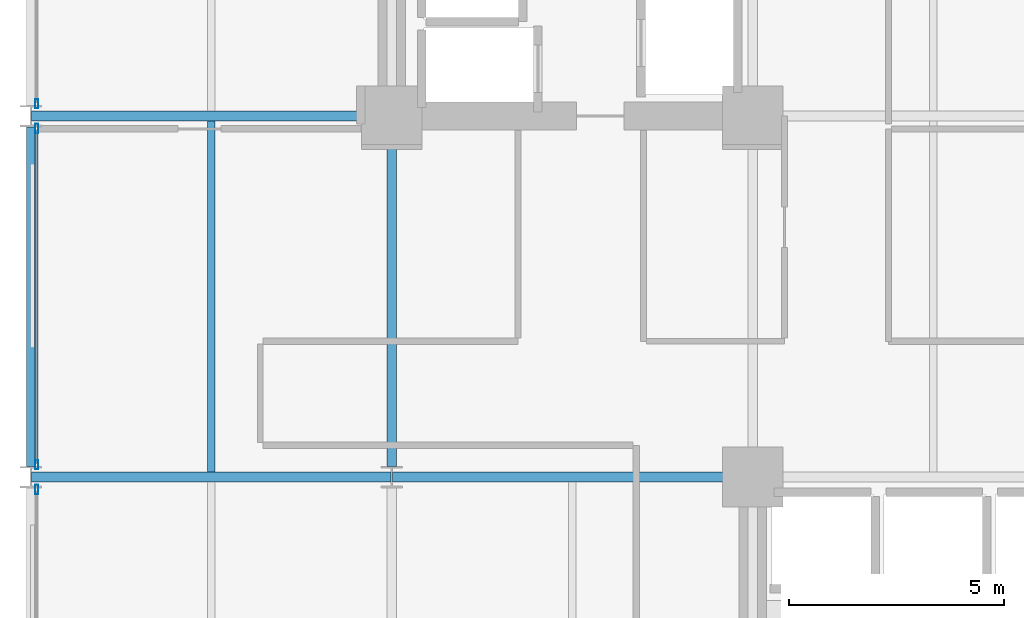
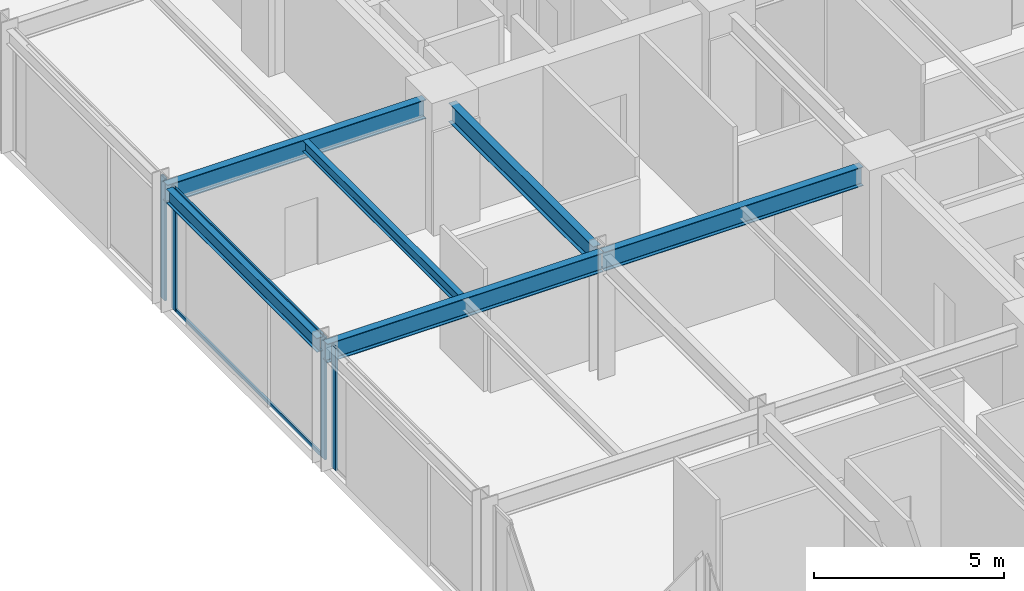
# One storey, part 6 of 24: 6 beams, 6 members, 3 elements without a shape of their own.
"""IFC4 building model written with IfcOpenShell, lengths in metres."""

import ifcopenshell
import ifcopenshell.guid

model = None  # the IFC model being written
_history = None  # IfcOwnerHistory: only IFC2X3 demands one
_inside = {}  # id of a spatial element -> (the spatial element, [elements in it])
_under = {}  # id of a project, library or spatial element -> (it, [spatial elements below it])
_declared = {}  # id of a project -> (the project, [libraries it declares])
_typed = {}  # id of a type object -> (the type object, [elements of that type])
_made_of = {}  # id of a material, layer set ... -> (it, [elements and type objects made of it])


def new_model(schema):
    """Start an empty IFC model of exactly this schema.

    Asked for "IFC4X3", IfcOpenShell would pick the latest addendum, in which some entities
    have other attributes; the version numbers below select the first issue.
    IFC2X3 requires an IfcOwnerHistory on every rooted entity: one is made here for all.
    """
    global model, _history
    if schema == "IFC4X3":
        model = ifcopenshell.file(schema_version=(4, 3, 0, 0))
    else:
        model = ifcopenshell.file(schema=schema)
    _inside.clear()
    _under.clear()
    _declared.clear()
    _typed.clear()
    _made_of.clear()
    _history = None
    if model.schema == "IFC2X3":
        org = make("IfcOrganization", Name="unknown")
        user = make(
            "IfcPersonAndOrganization",
            ThePerson=make("IfcPerson", FamilyName="unknown"),
            TheOrganization=org,
        )
        app = make(
            "IfcApplication",
            ApplicationDeveloper=org,
            Version="unknown",
            ApplicationFullName="unknown",
            ApplicationIdentifier="unknown",
        )
        _history = make(
            "IfcOwnerHistory",
            OwningUser=user,
            OwningApplication=app,
            ChangeAction="ADDED",
            CreationDate=0,
        )
    return model


def make(cls, **values):
    """One entity of the class cls with the attributes given. An attribute that is None is left unset."""
    return model.create_entity(
        cls, **{name: value for name, value in values.items() if value is not None}
    )


def rooted(cls, **values):
    """An entity with a GlobalId (a new one), such as an element, a storey or a relation."""
    return make(cls, GlobalId=ifcopenshell.guid.new(), OwnerHistory=_history, **values)


def si_unit(unit_type, name, prefix=None):
    """IfcSIUnit, for example si_unit("LENGTHUNIT", "METRE", prefix="MILLI")."""
    return make("IfcSIUnit", UnitType=unit_type, Prefix=prefix, Name=name)


def assignment(units):
    """IfcUnitAssignment: the units of a project."""
    return None if units is None else make("IfcUnitAssignment", Units=units)


def point(xyz):
    """IfcCartesianPoint."""
    return None if xyz is None else make("IfcCartesianPoint", Coordinates=xyz)


def direction(xyz):
    """IfcDirection."""
    return None if xyz is None else make("IfcDirection", DirectionRatios=xyz)


def frame(location, z_axis=None, x_axis=None):
    """IfcAxis2Placement3D, a coordinate frame: its origin and axes. An axis left out is left unset."""
    return make(
        "IfcAxis2Placement3D",
        Location=point(location),
        Axis=direction(z_axis),
        RefDirection=direction(x_axis),
    )


def frame_2d(location, x_axis=None):
    """IfcAxis2Placement2D, a coordinate frame in the plane: its origin and x axis."""
    return make(
        "IfcAxis2Placement2D", Location=point(location), RefDirection=direction(x_axis)
    )


def origin():
    """The frame at (0, 0, 0) with its axes left unset."""
    return frame((0.0, 0.0, 0.0))


def origin_2d():
    """The frame at (0, 0) in the plane with its x axis left unset."""
    return frame_2d((0.0, 0.0))


def place(relative_to, where):
    """IfcLocalPlacement: puts the frame where relative to a parent placement (None: the world)."""
    return make(
        "IfcLocalPlacement", PlacementRelTo=relative_to, RelativePlacement=where
    )


def context(
    kind, dimensions, precision=None, world=None, true_north=None, identifier=None
):
    """IfcGeometricRepresentationContext, for example the 3D "Model" context."""
    return make(
        "IfcGeometricRepresentationContext",
        ContextIdentifier=identifier,
        ContextType=kind,
        CoordinateSpaceDimension=dimensions,
        Precision=precision,
        WorldCoordinateSystem=world,
        TrueNorth=true_north,
    )


def subcontext(parent, identifier, kind, view, scale=None):
    """IfcGeometricRepresentationSubContext, for example "Body" below "Model"."""
    return make(
        "IfcGeometricRepresentationSubContext",
        ContextIdentifier=identifier,
        ContextType=kind,
        ParentContext=parent,
        TargetScale=scale,
        TargetView=view,
    )


def project(units=None, contexts=None):
    """IfcProject with its units and contexts."""
    return rooted(
        "IfcProject",
        Name="project",
        RepresentationContexts=contexts,
        UnitsInContext=assignment(units),
    )


def spatial(cls, under=None, at=None, **own):
    """A site, building, storey or space (cls), placed at a placement, below another one or the project."""
    s = rooted(cls, ObjectPlacement=at, **own)
    if under is not None:
        _under.setdefault(under.id(), (under, []))[1].append(s)
    return s


def profile(cls, at=None, kind="AREA", **sizes):
    """A parametric profile (cls). Its sizes go by their IFC names, for example OverallWidth=200.0."""
    return make(cls, ProfileType=kind, Position=at, **sizes)


def hollow_rectangle(**sizes):
    """IfcRectangleHollowProfileDef."""
    return profile("IfcRectangleHollowProfileDef", **sizes)


def i_section(**sizes):
    """IfcIShapeProfileDef."""
    return profile("IfcIShapeProfileDef", **sizes)


def extrude(swept, where, along, depth):
    """IfcExtrudedAreaSolid: the profile swept, set in the frame where, extruded along a direction by depth."""
    return make(
        "IfcExtrudedAreaSolid",
        SweptArea=swept,
        Position=where,
        ExtrudedDirection=direction(along),
        Depth=depth,
    )


def shape(context_of_items, identifier, shape_type, items):
    """IfcShapeRepresentation: the items that make up one representation, for example the "Body"."""
    return make(
        "IfcShapeRepresentation",
        ContextOfItems=context_of_items,
        RepresentationIdentifier=identifier,
        RepresentationType=shape_type,
        Items=items,
    )


def material(Name=None, Category=None):
    """IfcMaterial."""
    return make("IfcMaterial", Name=Name, Category=Category)


def layer(
    of_material, thickness, ventilated=None, Name=None, Category=None, Priority=None
):
    """IfcMaterialLayer: one layer of a wall or slab, of a material (None: an air gap)."""
    return make(
        "IfcMaterialLayer",
        Material=of_material,
        LayerThickness=thickness,
        IsVentilated=ventilated,
        Name=Name,
        Category=Category,
        Priority=Priority,
    )


def layer_set(layers, Name=None):
    """IfcMaterialLayerSet."""
    return make("IfcMaterialLayerSet", MaterialLayers=layers, LayerSetName=Name)


def material_profile(
    of_material, cross_section, Name=None, Category=None, Priority=None
):
    """IfcMaterialProfile: a cross section and its material."""
    return make(
        "IfcMaterialProfile",
        Name=Name,
        Material=of_material,
        Profile=cross_section,
        Priority=Priority,
        Category=Category,
    )


def profile_set(profiles, Name=None, composite=None):
    """IfcMaterialProfileSet."""
    return make(
        "IfcMaterialProfileSet",
        Name=Name,
        MaterialProfiles=profiles,
        CompositeProfile=composite,
    )


def made_of(thing, what):
    """Note that an element or type object is made of a material, layer set ...; save() writes the relation."""
    if what is not None:
        _made_of.setdefault(what.id(), (what, []))[1].append(thing)
    return thing


def type_object(cls, material=None, **own):
    """A type object (cls), such as IfcWallType, which elements share."""
    return made_of(rooted(cls, **own), material)


def element(
    cls,
    number,
    at=None,
    inside=None,
    cuts=None,
    type_object=None,
    material=None,
    context=None,
    identifier="Body",
    shape_type=None,
    held_by="IfcProductDefinitionShape",
    body=None,
    shapes=None,
    **own,
):
    """One element of the class cls, such as IfcWall. Its Tag is "e" and its number.

    at: its placement. inside: the storey or other place that contains it. cuts: it is an
    opening in that element (IfcRelVoidsElement). A single representation is given by context,
    identifier, shape_type and body (its items); several are given by shapes. held_by: the class
    of the entity that holds the representations. save() writes the other relations.
    """
    e = rooted(cls, Tag="e%d" % number, ObjectPlacement=at, **own)
    if body is not None:
        shapes = [shape(context, identifier, shape_type, body)]
    if shapes is not None:
        e.Representation = make(held_by, Representations=shapes)
    if inside is not None:
        _inside.setdefault(inside.id(), (inside, []))[1].append(e)
    if cuts is not None:
        rooted(
            "IfcRelVoidsElement", RelatingBuildingElement=cuts, RelatedOpeningElement=e
        )
    if type_object is not None:
        _typed.setdefault(type_object.id(), (type_object, []))[1].append(e)
    return made_of(e, material)


def aggregate(whole, parts):
    """IfcRelAggregates: a whole, such as a stair, and the parts it consists of."""
    return rooted("IfcRelAggregates", RelatingObject=whole, RelatedObjects=parts)


def save(model, path):
    """Write the relations noted so far, then the file.

    IfcRelAggregates (storeys below a building ...), IfcRelContainedInSpatialStructure (elements
    in a storey), IfcRelDefinesByType, IfcRelAssociatesMaterial and IfcRelDeclares: one each for
    every whole, place, type object, material and project.
    """
    for whole, parts in _under.values():
        aggregate(whole, parts)
    for where, things in _inside.values():
        rooted(
            "IfcRelContainedInSpatialStructure",
            RelatedElements=things,
            RelatingStructure=where,
        )
    for kind, things in _typed.values():
        rooted("IfcRelDefinesByType", RelatedObjects=things, RelatingType=kind)
    for what, things in _made_of.values():
        rooted("IfcRelAssociatesMaterial", RelatedObjects=things, RelatingMaterial=what)
    for by, libraries in _declared.values():
        rooted("IfcRelDeclares", RelatingContext=by, RelatedDefinitions=libraries)
    model.write(path)


model = new_model("IFC4")

# Units and contexts
model_context = context("Model", 3, precision=1e-05, world=origin(), true_north=direction((0.0, 1.0)))
body_context = subcontext(model_context, "Body", "Model", "MODEL_VIEW")
ifc_project = project(units=[si_unit("LENGTHUNIT", "METRE"), si_unit("AREAUNIT", "SQUARE_METRE"), si_unit("VOLUMEUNIT", "CUBIC_METRE"), si_unit("PLANEANGLEUNIT", "RADIAN"), si_unit("MASSUNIT", "GRAM", prefix="KILO")], contexts=[model_context])

# Site, building, storey
site_placement = place(None, origin())
site = spatial("IfcSite", under=ifc_project, at=site_placement, CompositionType="ELEMENT")
building_placement = place(site_placement, origin())
building = spatial("IfcBuilding", under=site, at=building_placement, Name="Nerrivon Quay Data Exchange", CompositionType="ELEMENT")
storey_placement = place(building_placement, frame((0.0, 0.0, 45.800048828125)))
storey = spatial("IfcBuildingStorey", under=building, at=storey_placement, Name="L10", CompositionType="ELEMENT", Elevation=45.800048828125)

# Beams
ifc_material_1 = material(Name="Steel Grade 350", Category="steel")
ifc_material_profile_1 = material_profile(ifc_material_1, i_section(OverallWidth=0.22900390625, OverallDepth=0.612060546875, WebThickness=0.011962890625, FlangeThickness=0.01953125, FilletRadius=0.013916015625, at=origin_2d()), Name="610UB125")
ifc_profile_set_1 = profile_set([ifc_material_profile_1], Name="Steel Grade 350")
beam_type_1 = type_object("IfcBeamType", Name="BM-G1-610UB125", PredefinedType="BEAM", material=ifc_profile_set_1)
beam_1_placement = place(storey_placement, frame((0.013916015625, 16.800048828125, 3.618896484375), z_axis=(1.0, 0.0, 0.0), x_axis=(0.0, 1.0, 0.0)))
element("IfcBeam", 1, at=beam_1_placement, inside=storey, type_object=beam_type_1, Name="L10 EW Girder Y=16.8 (0.0..8.4)", PredefinedType="BEAM", context=body_context, shape_type="SweptSolid", body=[
    extrude(i_section(OverallWidth=0.22900390625, OverallDepth=0.612060546875, WebThickness=0.011962890625, FlangeThickness=0.01953125, FilletRadius=0.013916015625, at=origin_2d()), origin(), (0.0, 0.0, 1.0), 8.3720703125),
])
beam_2_placement = place(storey_placement, frame((8.4140625, 16.800048828125, 3.618896484375), z_axis=(1.0, 0.0, 0.0), x_axis=(0.0, 1.0, 0.0)))
element("IfcBeam", 2, at=beam_2_placement, inside=storey, type_object=beam_type_1, Name="L10 EW Girder Y=16.8 (8.4..16.8)", PredefinedType="BEAM", context=body_context, shape_type="SweptSolid", body=[
    extrude(i_section(OverallWidth=0.22900390625, OverallDepth=0.612060546875, WebThickness=0.011962890625, FlangeThickness=0.01953125, FilletRadius=0.013916015625, at=origin_2d()), origin(), (0.0, 0.0, 1.0), 7.845947265625),
])
beam_3_placement = place(storey_placement, frame((0.013916015625, 25.199951171875, 3.618896484375), z_axis=(1.0, 0.0, 0.0), x_axis=(0.0, 1.0, 0.0)))
element("IfcBeam", 3, at=beam_3_placement, inside=storey, type_object=beam_type_1, Name="L10 EW Girder Y=25.2 (0.0..8.4)", PredefinedType="BEAM", context=body_context, shape_type="SweptSolid", body=[
    extrude(i_section(OverallWidth=0.22900390625, OverallDepth=0.612060546875, WebThickness=0.011962890625, FlangeThickness=0.01953125, FilletRadius=0.013916015625, at=origin_2d()), origin(), (0.0, 0.0, 1.0), 7.84619140625),
])
ifc_material_profile_2 = material_profile(ifc_material_1, i_section(OverallWidth=0.22802734375, OverallDepth=0.60205078125, WebThickness=0.010498046875, FlangeThickness=0.014892578125, FilletRadius=0.013916015625, at=origin_2d()), Name="610UB101")
ifc_profile_set_2 = profile_set([ifc_material_profile_2], Name="Steel Grade 350")
beam_type_2 = type_object("IfcBeamType", Name="BM-G2-610UB101", PredefinedType="BEAM", material=ifc_profile_set_2)
beam_4_placement = place(storey_placement, frame((8.39990234375, 17.050048828125, 3.6240234375), z_axis=(0.0, 1.0, 0.0), x_axis=(-1.0, 0.0, 0.0)))
element("IfcBeam", 4, at=beam_4_placement, inside=storey, type_object=beam_type_2, Name="L10 NS Girder X=8.4 (16.8..25.2)", PredefinedType="BEAM", context=body_context, shape_type="SweptSolid", body=[
    extrude(i_section(OverallWidth=0.22802734375, OverallDepth=0.60205078125, WebThickness=0.010498046875, FlangeThickness=0.014892578125, FilletRadius=0.013916015625, at=origin_2d()), origin(), (0.0, 0.0, 1.0), 7.60986328125),
])
ifc_material_profile_3 = material_profile(ifc_material_1, i_section(OverallWidth=0.172119140625, OverallDepth=0.35888671875, WebThickness=0.008056640625, FlangeThickness=0.012939453125, FilletRadius=0.011474609375, at=origin_2d()), Name="360UB56.7")
ifc_profile_set_3 = profile_set([ifc_material_profile_3], Name="Steel Grade 350")
beam_type_3 = type_object("IfcBeamType", Name="BM-J3-360UB57", PredefinedType="JOIST", material=ifc_profile_set_3)
beam_5_placement = place(storey_placement, frame((4.199951171875, 16.91455078125, 3.745361328125), z_axis=(0.0, 1.0, 0.0), x_axis=(-1.0, 0.0, 0.0)))
element("IfcBeam", 5, at=beam_5_placement, inside=storey, type_object=beam_type_3, Name="L10 Secondary Joist X=4.2 (16.8..25.2)", PredefinedType="JOIST", context=body_context, shape_type="SweptSolid", body=[
    extrude(i_section(OverallWidth=0.172119140625, OverallDepth=0.35888671875, WebThickness=0.008056640625, FlangeThickness=0.012939453125, FilletRadius=0.011474609375, at=origin_2d()), origin(), (0.0, 0.0, 1.0), 8.1708984375),
])
ifc_material_profile_4 = material_profile(ifc_material_1, i_section(OverallWidth=0.18994140625, OverallDepth=0.4541015625, WebThickness=0.008544921875, FlangeThickness=0.0126953125, FilletRadius=0.011474609375, at=origin_2d()), Name="460UB67.1")
ifc_profile_set_4 = profile_set([ifc_material_profile_4], Name="Steel Grade 350")
beam_type_4 = type_object("IfcBeamType", Name="BM-SP1-460UB67", PredefinedType="SPANDREL", material=ifc_profile_set_4)
beam_6_placement = place(storey_placement, frame((0.0, 17.050048828125, 3.697998046875), z_axis=(0.0, 1.0, 0.0), x_axis=(-1.0, 0.0, 0.0)))
element("IfcBeam", 6, at=beam_6_placement, inside=storey, type_object=beam_type_4, Name="L10 NS Girder X=0.0 (16.8..25.2)", PredefinedType="SPANDREL", context=body_context, shape_type="SweptSolid", body=[
    extrude(i_section(OverallWidth=0.18994140625, OverallDepth=0.4541015625, WebThickness=0.008544921875, FlangeThickness=0.0126953125, FilletRadius=0.011474609375, at=origin_2d()), origin(), (0.0, 0.0, 1.0), 7.89990234375),
])

# Curtain wall, member
ifc_material_2 = material(Name="Anodised aluminium 6063-T6", Category="aluminium")
ifc_layer = layer(ifc_material_2, 0.219970703125)
ifc_layer_set = layer_set([ifc_layer], Name="Anodised aluminium 6063-T6")
curtain_wall_type = type_object("IfcCurtainWallType", Name="CW-SYS-01", PredefinedType="NOTDEFINED", material=ifc_layer_set)
curtain_wall_1_placement = place(storey_placement, origin())
curtain_wall_1 = element("IfcCurtainWall", 7, at=curtain_wall_1_placement, inside=storey, type_object=curtain_wall_type, Name="L10 Unitised Curtain Wall 14", PredefinedType="NOTDEFINED")
ifc_material_profile_5 = material_profile(ifc_material_2, hollow_rectangle(XDim=0.074951171875, YDim=0.219970703125, WallThickness=0.00390625, at=origin_2d()), Name="ALU-MULL-220x75")
ifc_profile_set_5 = profile_set([ifc_material_profile_5], Name="Anodised aluminium 6063-T6")
member_type_1 = type_object("IfcMemberType", Name="CWM-220x75", PredefinedType="MULLION", material=ifc_profile_set_5)
member_1_placement = place(storey_placement, frame((0.139892578125, 16.512451171875, 0.0), z_axis=(0.0, 0.0, 1.0), x_axis=(-1.0, 0.0, 0.0)))
member_1 = element("IfcMember", 8, at=member_1_placement, type_object=member_type_1, Name="CW01 mullion 2", PredefinedType="MULLION", context=body_context, shape_type="SweptSolid", body=[
    extrude(hollow_rectangle(XDim=0.074951171875, YDim=0.219970703125, WallThickness=0.00390625, at=origin_2d()), origin(), (0.0, 0.0, 1.0), 3.925048828125),
])
aggregate(curtain_wall_1, [member_1])

# Curtain wall, members
curtain_wall_2_placement = place(storey_placement, origin())
curtain_wall_2 = element("IfcCurtainWall", 9, at=curtain_wall_2_placement, inside=storey, type_object=curtain_wall_type, Name="L10 Unitised Curtain Wall 15", PredefinedType="NOTDEFINED")
member_2_placement = place(storey_placement, frame((0.139892578125, 17.08740234375, 0.0), z_axis=(0.0, 0.0, 1.0), x_axis=(-1.0, 0.0, 0.0)))
member_2 = element("IfcMember", 10, at=member_2_placement, type_object=member_type_1, Name="CW01 mullion 1", PredefinedType="MULLION", context=body_context, shape_type="SweptSolid", body=[
    extrude(hollow_rectangle(XDim=0.074951171875, YDim=0.219970703125, WallThickness=0.00390625, at=origin_2d()), origin(), (0.0, 0.0, 1.0), 3.925048828125),
])
member_3_placement = place(storey_placement, frame((0.139892578125, 24.91259765625, 0.0), z_axis=(0.0, 0.0, 1.0), x_axis=(-1.0, 0.0, 0.0)))
member_3 = element("IfcMember", 11, at=member_3_placement, type_object=member_type_1, Name="CW01 mullion 2", PredefinedType="MULLION", context=body_context, shape_type="SweptSolid", body=[
    extrude(hollow_rectangle(XDim=0.074951171875, YDim=0.219970703125, WallThickness=0.00390625, at=origin_2d()), origin(), (0.0, 0.0, 1.0), 3.925048828125),
])

# Curtain wall, member
curtain_wall_3_placement = place(storey_placement, origin())
curtain_wall_3 = element("IfcCurtainWall", 12, at=curtain_wall_3_placement, inside=storey, type_object=curtain_wall_type, Name="L10 Unitised Curtain Wall 16", PredefinedType="NOTDEFINED")
member_4_placement = place(storey_placement, frame((0.139892578125, 25.487548828125, 0.0), z_axis=(0.0, 0.0, 1.0), x_axis=(-1.0, 0.0, 0.0)))
member_4 = element("IfcMember", 13, at=member_4_placement, type_object=member_type_1, Name="CW01 mullion 1", PredefinedType="MULLION", context=body_context, shape_type="SweptSolid", body=[
    extrude(hollow_rectangle(XDim=0.074951171875, YDim=0.219970703125, WallThickness=0.00390625, at=origin_2d()), origin(), (0.0, 0.0, 1.0), 3.925048828125),
])
aggregate(curtain_wall_3, [member_4])

# Member
ifc_material_profile_6 = material_profile(ifc_material_2, hollow_rectangle(XDim=0.06005859375, YDim=0.1201171875, WallThickness=0.003173828125, at=origin_2d()), Name="ALU-TRAN-120x60")
ifc_profile_set_6 = profile_set([ifc_material_profile_6], Name="Anodised aluminium 6063-T6")
member_type_2 = type_object("IfcMemberType", Name="CWT-120x60", PredefinedType="USERDEFINED", material=ifc_profile_set_6)
member_5_placement = place(storey_placement, frame((0.139892578125, 17.125, 0.032470703125), z_axis=(0.0, 1.0, 0.0), x_axis=(-1.0, 0.0, 0.0)))
member_5 = element("IfcMember", 14, at=member_5_placement, type_object=member_type_2, Name="CW01 transom 1.1", ObjectType="TRANSOM", PredefinedType="USERDEFINED", context=body_context, shape_type="SweptSolid", body=[
    extrude(hollow_rectangle(XDim=0.06005859375, YDim=0.1201171875, WallThickness=0.003173828125, at=origin_2d()), origin(), (0.0, 0.0, 1.0), 7.75),
])

member_6_placement = place(storey_placement, frame((0.139892578125, 17.125, 3.892333984375), z_axis=(0.0, 1.0, 0.0), x_axis=(-1.0, 0.0, 0.0)))
member_6 = element("IfcMember", 15, at=member_6_placement, type_object=member_type_2, Name="CW01 transom 1.2", ObjectType="TRANSOM", PredefinedType="USERDEFINED", context=body_context, shape_type="SweptSolid", body=[
    extrude(hollow_rectangle(XDim=0.06005859375, YDim=0.1201171875, WallThickness=0.003173828125, at=origin_2d()), origin(), (0.0, 0.0, 1.0), 7.75),
])

aggregate(curtain_wall_2, [member_2, member_3, member_5, member_6])

save(model, "model.ifc")
